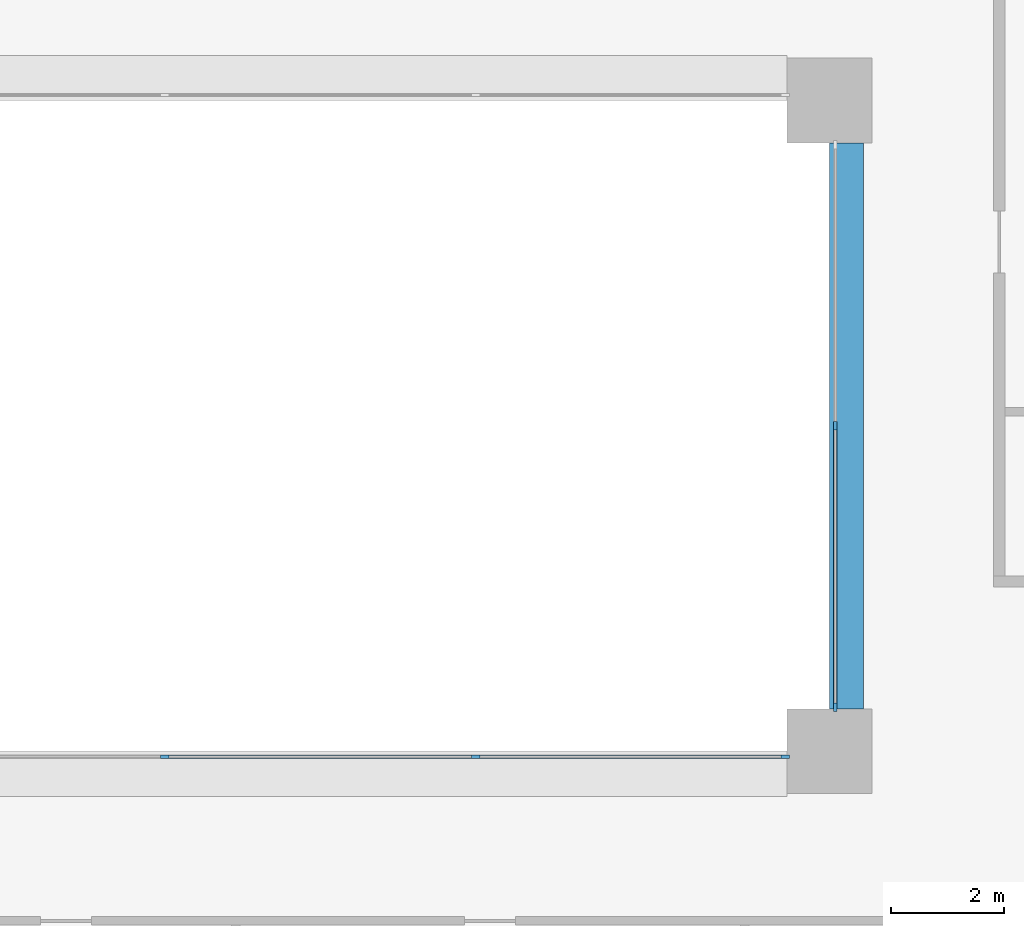
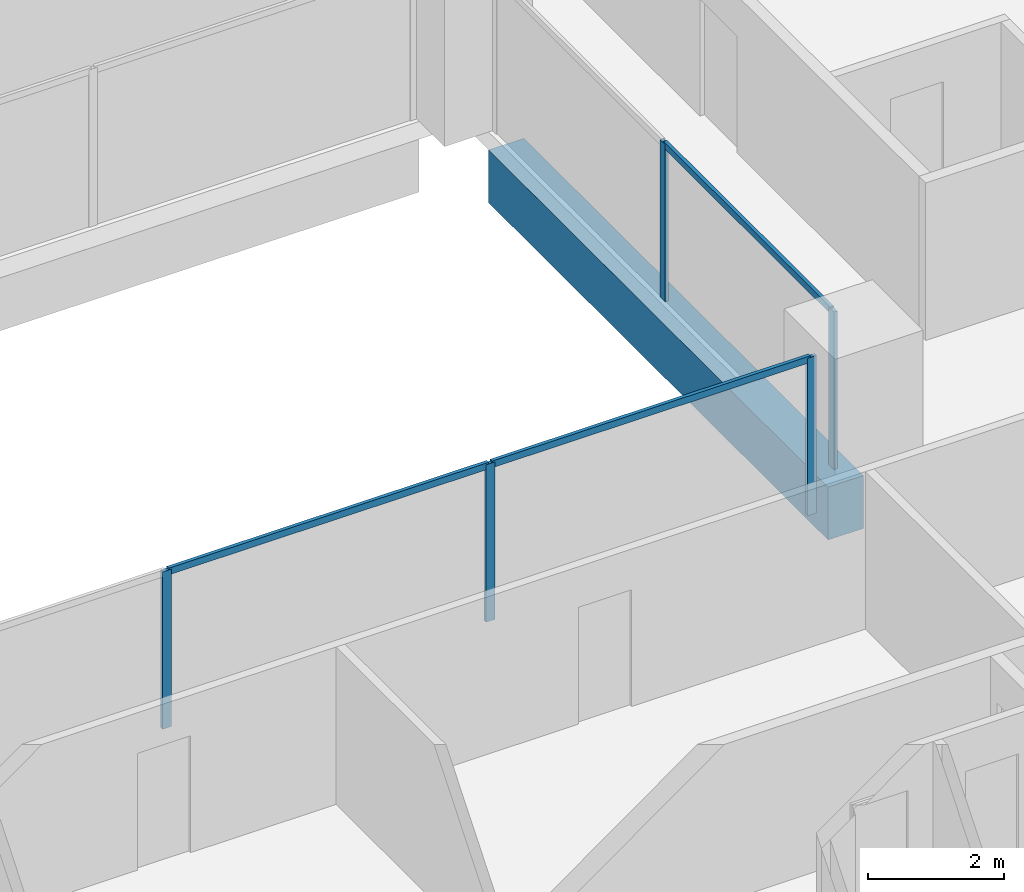
# One storey, part 4 of 19: 8 members, 1 beam, 2 elements without a shape of their own.
"""IFC4 building model written with IfcOpenShell, lengths in metres."""

from ifc_helpers import new_model, si_unit, direction, frame, origin, origin_2d, place, context, subcontext, project, spatial, rectangle, extrude, material, layer, layer_set, material_profile, profile_set, type_object, element, aggregate, save


model = new_model("IFC4")

# Units and contexts
model_context = context("Model", 3, precision=1e-05, world=origin(), true_north=direction((0.0, 1.0)))
body_context = subcontext(model_context, "Body", "Model", "MODEL_VIEW")
ifc_project = project(units=[si_unit("LENGTHUNIT", "METRE"), si_unit("AREAUNIT", "SQUARE_METRE"), si_unit("VOLUMEUNIT", "CUBIC_METRE"), si_unit("PLANEANGLEUNIT", "RADIAN"), si_unit("MASSUNIT", "GRAM", prefix="KILO")], contexts=[model_context])

# Site, building, storey
site_placement = place(None, origin())
site = spatial("IfcSite", under=ifc_project, at=site_placement, CompositionType="ELEMENT")
building_placement = place(site_placement, origin())
building = spatial("IfcBuilding", under=site, at=building_placement, Name="Brigalow Station Residences", CompositionType="ELEMENT")
storey_placement = place(building_placement, frame((0.0, 0.0, 35.25)))
storey = spatial("IfcBuildingStorey", under=building, at=storey_placement, Name="L09", CompositionType="ELEMENT", Elevation=35.25)

# Beam
ifc_material_1 = material(Name="Concrete C65", Category="concrete")
ifc_material_profile_1 = material_profile(ifc_material_1, rectangle(XDim=0.60009765625, YDim=0.949951171875, at=origin_2d()), Name="RC600x950")
ifc_profile_set_1 = profile_set([ifc_material_profile_1], Name="Concrete C65")
beam_type = type_object("IfcBeamType", Name="ATRIUM EDGE GIRDER 600x950 C65", PredefinedType="BEAM", material=ifc_profile_set_1)
beam_placement = place(storey_placement, frame((45.300048828125, 24.75, -0.794921875), z_axis=(0.0, 1.0, 0.0), x_axis=(-1.0, 0.0, 0.0)))
element("IfcBeam", 1, at=beam_placement, inside=storey, type_object=beam_type, Name="ATRIUM EDGE GIRDER 5 L09", PredefinedType="BEAM", context=body_context, shape_type="SweptSolid", body=[
    extrude(rectangle(XDim=0.60009765625, YDim=0.949951171875, at=origin_2d()), origin(), (0.0, 0.0, 1.0), 10.0),
])

# Curtain wall, members
ifc_material_2 = material(Name="Aluminium", Category="aluminium")
ifc_layer = layer(ifc_material_2, 0.14990234375)
ifc_layer_set = layer_set([ifc_layer], Name="ATRIUM FIRE-RATED GLAZING CURTAIN WALL")
curtain_wall_type = type_object("IfcCurtainWallType", Name="ATRIUM FIRE-RATED GLAZING CURTAIN WALL", PredefinedType="NOTDEFINED", material=ifc_layer_set)
curtain_wall_1_placement = place(storey_placement, origin())
curtain_wall_1 = element("IfcCurtainWall", 2, at=curtain_wall_1_placement, inside=storey, type_object=curtain_wall_type, Name="L09/cw/atrium-S", PredefinedType="NOTDEFINED")
ifc_material_3 = material(Name="Aluminium", Category="aluminium")
ifc_material_profile_2 = material_profile(ifc_material_3, rectangle(XDim=0.06005859375, YDim=0.14990234375, at=origin_2d()), Name="ATRIUM FIRE-RATED GLAZING MULLION 60x150")
ifc_profile_set_2 = profile_set([ifc_material_profile_2], Name="Aluminium")
member_type_1 = type_object("IfcMemberType", Name="ATRIUM FIRE-RATED GLAZING MULLION 60x150", PredefinedType="MULLION", material=ifc_profile_set_2)
member_1_placement = place(storey_placement, frame((33.25, 23.89990234375, 0.0), z_axis=(0.0, 0.0, 1.0), x_axis=(0.0, 1.0, 0.0)))
member_1 = element("IfcMember", 3, at=member_1_placement, type_object=member_type_1, Name="L09/cw/atrium-S/M01", PredefinedType="MULLION", context=body_context, shape_type="SweptSolid", body=[
    extrude(rectangle(XDim=0.06005859375, YDim=0.14990234375, at=origin_2d()), origin(), (0.0, 0.0, 1.0), 2.830078125),
])
member_2_placement = place(storey_placement, frame((38.75, 23.89990234375, 0.0), z_axis=(0.0, 0.0, 1.0), x_axis=(0.0, 1.0, 0.0)))
member_2 = element("IfcMember", 4, at=member_2_placement, type_object=member_type_1, Name="L09/cw/atrium-S/M02", PredefinedType="MULLION", context=body_context, shape_type="SweptSolid", body=[
    extrude(rectangle(XDim=0.06005859375, YDim=0.14990234375, at=origin_2d()), origin(), (0.0, 0.0, 1.0), 2.830078125),
])
member_3_placement = place(storey_placement, frame((44.219970703125, 23.89990234375, 0.0), z_axis=(0.0, 0.0, 1.0), x_axis=(0.0, 1.0, 0.0)))
member_3 = element("IfcMember", 5, at=member_3_placement, type_object=member_type_1, Name="L09/cw/atrium-S/M03", PredefinedType="MULLION", context=body_context, shape_type="SweptSolid", body=[
    extrude(rectangle(XDim=0.06005859375, YDim=0.14990234375, at=origin_2d()), origin(), (0.0, 0.0, 1.0), 2.830078125),
])

curtain_wall_2_placement = place(storey_placement, origin())
curtain_wall_2 = element("IfcCurtainWall", 6, at=curtain_wall_2_placement, inside=storey, type_object=curtain_wall_type, Name="L09/cw/atrium-E", PredefinedType="NOTDEFINED")
member_4_placement = place(storey_placement, frame((45.10009765625, 24.780029296875, 0.0), z_axis=(0.0, 0.0, 1.0), x_axis=(-1.0, 0.0, 0.0)))
member_4 = element("IfcMember", 7, at=member_4_placement, type_object=member_type_1, Name="L09/cw/atrium-E/M00", PredefinedType="MULLION", context=body_context, shape_type="SweptSolid", body=[
    extrude(rectangle(XDim=0.06005859375, YDim=0.14990234375, at=origin_2d()), origin(), (0.0, 0.0, 1.0), 2.830078125),
])
member_5_placement = place(storey_placement, frame((45.10009765625, 29.75, 0.0), z_axis=(0.0, 0.0, 1.0), x_axis=(-1.0, 0.0, 0.0)))
member_5 = element("IfcMember", 8, at=member_5_placement, type_object=member_type_1, Name="L09/cw/atrium-E/M01", PredefinedType="MULLION", context=body_context, shape_type="SweptSolid", body=[
    extrude(rectangle(XDim=0.06005859375, YDim=0.14990234375, at=origin_2d()), origin(), (0.0, 0.0, 1.0), 2.830078125),
])

# Member
ifc_material_4 = material(Name="Aluminium", Category="aluminium")
ifc_material_profile_3 = material_profile(ifc_material_4, rectangle(XDim=0.06005859375, YDim=0.1201171875, at=origin_2d()), Name="ATRIUM FIRE-RATED GLAZING TRANSOM 60x120")
ifc_profile_set_3 = profile_set([ifc_material_profile_3], Name="Aluminium")
member_type_2 = type_object("IfcMemberType", Name="ATRIUM FIRE-RATED GLAZING TRANSOM 60x120", PredefinedType="USERDEFINED", material=ifc_profile_set_3)
member_6_placement = place(storey_placement, frame((33.280029296875, 23.89990234375, 2.800048828125), z_axis=(1.0, 0.0, 0.0), x_axis=(0.0, 1.0, 0.0)))
member_6 = element("IfcMember", 9, at=member_6_placement, type_object=member_type_2, Name="L09/cw/atrium-S/T01-00", ObjectType="TRANSOM", PredefinedType="USERDEFINED", context=body_context, shape_type="SweptSolid", body=[
    extrude(rectangle(XDim=0.06005859375, YDim=0.1201171875, at=origin_2d()), origin(), (0.0, 0.0, 1.0), 5.43994140625),
])

member_7_placement = place(storey_placement, frame((38.780029296875, 23.89990234375, 2.800048828125), z_axis=(1.0, 0.0, 0.0), x_axis=(0.0, 1.0, 0.0)))
member_7 = element("IfcMember", 10, at=member_7_placement, type_object=member_type_2, Name="L09/cw/atrium-S/T02-00", ObjectType="TRANSOM", PredefinedType="USERDEFINED", context=body_context, shape_type="SweptSolid", body=[
    extrude(rectangle(XDim=0.06005859375, YDim=0.1201171875, at=origin_2d()), origin(), (0.0, 0.0, 1.0), 5.409912109375),
])

aggregate(curtain_wall_1, [member_1, member_2, member_3, member_6, member_7])

member_8_placement = place(storey_placement, frame((45.10009765625, 24.81005859375, 2.800048828125), z_axis=(0.0, 1.0, 0.0), x_axis=(-1.0, 0.0, 0.0)))
member_8 = element("IfcMember", 11, at=member_8_placement, type_object=member_type_2, Name="L09/cw/atrium-E/T00-00", ObjectType="TRANSOM", PredefinedType="USERDEFINED", context=body_context, shape_type="SweptSolid", body=[
    extrude(rectangle(XDim=0.06005859375, YDim=0.1201171875, at=origin_2d()), origin(), (0.0, 0.0, 1.0), 4.909912109375),
])

aggregate(curtain_wall_2, [member_4, member_5, member_8])

save(model, "model.ifc")
